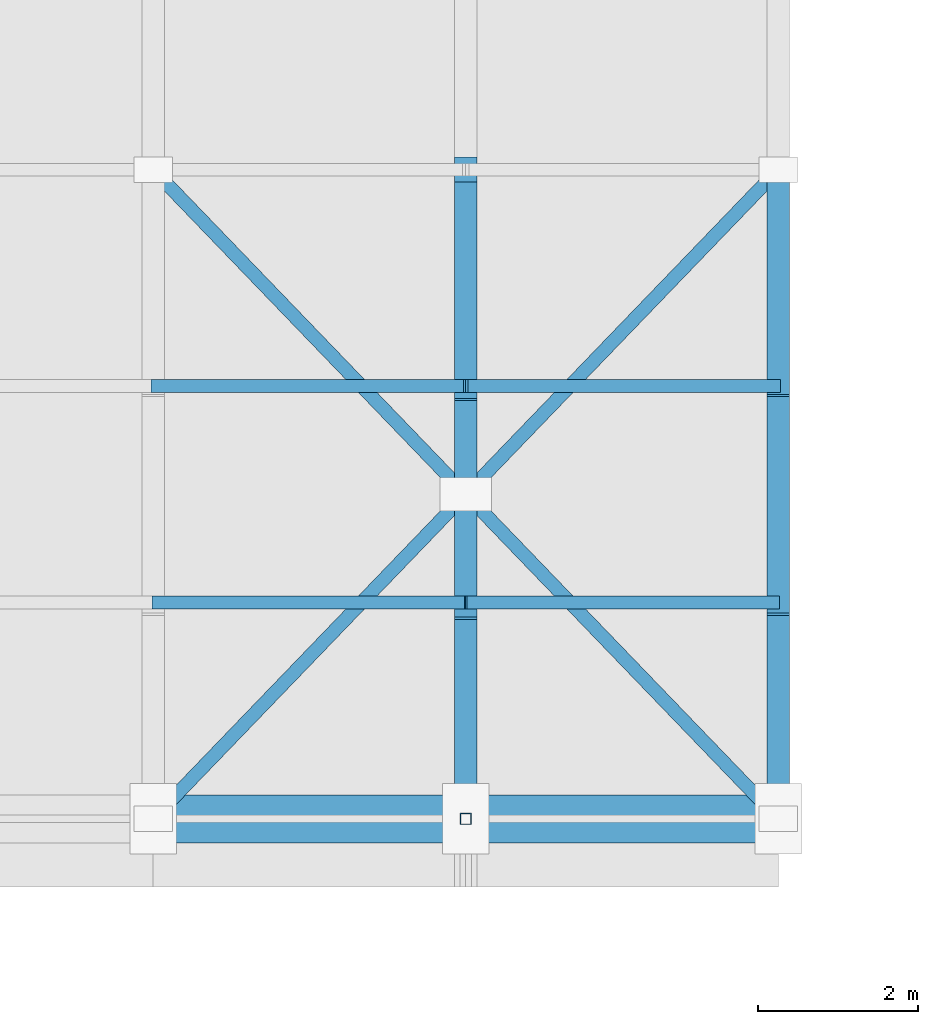
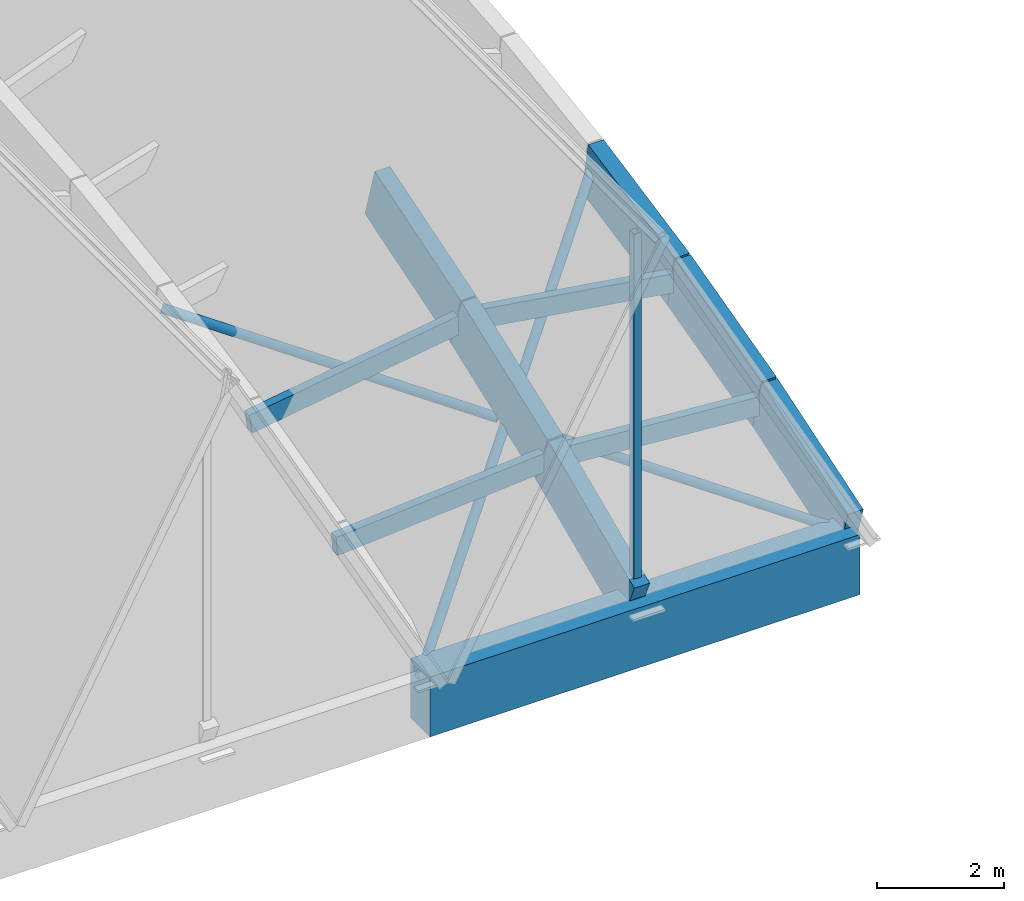
# One storey, part 9 of 39: 14 members, 1 beam.
"""IFC4 building model written with IfcOpenShell, lengths in metres."""

from ifc_helpers import new_model, si_unit, direction, frame, origin, origin_2d, place, context, subcontext, project, spatial, rectangle, hollow_rectangle, hollow_circle, extrude, material, material_profile, profile_set, type_object, element, save


model = new_model("IFC4")

# Units and contexts
model_context = context("Model", 3, precision=1e-05, world=origin(), true_north=direction((0.0, 1.0)))
body_context = subcontext(model_context, "Body", "Model", "MODEL_VIEW")
ifc_project = project(units=[si_unit("LENGTHUNIT", "METRE"), si_unit("AREAUNIT", "SQUARE_METRE"), si_unit("VOLUMEUNIT", "CUBIC_METRE"), si_unit("PLANEANGLEUNIT", "RADIAN"), si_unit("MASSUNIT", "GRAM", prefix="KILO")], contexts=[model_context])

# Site, building, storey
site_placement = place(None, origin())
site = spatial("IfcSite", under=ifc_project, at=site_placement, CompositionType="ELEMENT")
building_placement = place(site_placement, origin())
building = spatial("IfcBuilding", under=site, at=building_placement, Name="Tizgana Railside Sports Hall", CompositionType="ELEMENT")
storey_placement = place(building_placement, frame((0.0, 0.0, 23.699951171875)))
storey = spatial("IfcBuildingStorey", under=building, at=storey_placement, Name="RF", CompositionType="ELEMENT", Elevation=23.699951171875)

# Beam
ifc_material_1 = material(Name="Concrete C40/50", Category="concrete")
ifc_material_profile_1 = material_profile(ifc_material_1, rectangle(XDim=0.60009765625, YDim=1.14990234375, at=origin_2d()), Name="RCB 600x1150")
ifc_profile_set_1 = profile_set([ifc_material_profile_1], Name="Concrete C40/50")
beam_type = type_object("IfcBeamType", Name="Concrete Beam RCB 600x1150", PredefinedType="BEAM", material=ifc_profile_set_1)
beam_placement = place(storey_placement, frame((46.800048828125, 40.800048828125, -8.675048828125), z_axis=(1.0, 0.0, 0.0), x_axis=(0.0, 1.0, 0.0)))
element("IfcBeam", 1, at=beam_placement, inside=storey, type_object=beam_type, Name="RF BEM-1216", PredefinedType="BEAM", context=body_context, shape_type="SweptSolid", body=[
    extrude(rectangle(XDim=0.60009765625, YDim=1.14990234375, at=origin_2d()), origin(), (0.0, 0.0, 1.0), 7.800048828125),
])

# Members
ifc_material_2 = material(Name="Glulam GL32h", Category="wood")
ifc_material_profile_2 = material_profile(ifc_material_2, rectangle(XDim=0.280029296875, YDim=1.050048828125, at=origin_2d()), Name="GL 280x1050")
ifc_profile_set_2 = profile_set([ifc_material_profile_2], Name="Glulam GL32h")
member_type_1 = type_object("IfcMemberType", Name="Glulam Arch Segment GL 280x1050", PredefinedType="USERDEFINED", material=ifc_profile_set_2)
member_1_placement = place(storey_placement, frame((50.699951171875, 40.800048828125, -8.25), z_axis=(0.0, 0.91644048833, 0.400171002635), x_axis=(-1.0, 0.0, 0.0)))
element("IfcMember", 2, at=member_1_placement, inside=storey, type_object=member_type_1, Name="RF V1 Arch Chord MEM-0193", ObjectType="ARCH_SEGMENT", PredefinedType="USERDEFINED", context=body_context, shape_type="SweptSolid", body=[
    extrude(rectangle(XDim=0.280029296875, YDim=1.050048828125, at=origin_2d()), origin(), (0.0, 0.0, 1.0), 2.946044921875),
])
member_2_placement = place(storey_placement, frame((50.699951171875, 43.5, -7.071044921875), z_axis=(0.0, 0.936999478025, 0.349330757564), x_axis=(-1.0, 0.0, 0.0)))
element("IfcMember", 3, at=member_2_placement, inside=storey, type_object=member_type_1, Name="RF V1 Arch Chord MEM-0194", ObjectType="ARCH_SEGMENT", PredefinedType="USERDEFINED", context=body_context, shape_type="SweptSolid", body=[
    extrude(rectangle(XDim=0.280029296875, YDim=1.050048828125, at=origin_2d()), origin(), (0.0, 0.0, 1.0), 2.881591796875),
])
member_3_placement = place(storey_placement, frame((50.699951171875, 46.199951171875, -6.064453125), z_axis=(0.0, 0.954601237081, 0.297886686786), x_axis=(-1.0, 0.0, 0.0)))
element("IfcMember", 4, at=member_3_placement, inside=storey, type_object=member_type_1, Name="RF V1 Arch Chord MEM-0195", ObjectType="ARCH_SEGMENT", PredefinedType="USERDEFINED", context=body_context, shape_type="SweptSolid", body=[
    extrude(rectangle(XDim=0.280029296875, YDim=1.050048828125, at=origin_2d()), origin(), (0.0, 0.0, 1.0), 2.828369140625),
])
member_4_placement = place(storey_placement, frame((54.60009765625, 40.800048828125, -8.25), z_axis=(0.0, 0.95088673489, 0.309539040203), x_axis=(-1.0, 0.0, 0.0)))
element("IfcMember", 5, at=member_4_placement, inside=storey, type_object=member_type_1, Name="RF V1 Arch Chord MEM-0206", ObjectType="ARCH_SEGMENT", PredefinedType="USERDEFINED", context=body_context, shape_type="SweptSolid", body=[
    extrude(rectangle(XDim=0.280029296875, YDim=1.050048828125, at=origin_2d()), origin(), (0.0, 0.0, 1.0), 2.83935546875),
])
member_5_placement = place(storey_placement, frame((54.60009765625, 43.5, -7.37109375), z_axis=(0.0, 0.96740233444, 0.253244394448), x_axis=(-1.0, 0.0, 0.0)))
element("IfcMember", 6, at=member_5_placement, inside=storey, type_object=member_type_1, Name="RF V1 Arch Chord MEM-0207", ObjectType="ARCH_SEGMENT", PredefinedType="USERDEFINED", context=body_context, shape_type="SweptSolid", body=[
    extrude(rectangle(XDim=0.280029296875, YDim=1.050048828125, at=origin_2d()), origin(), (0.0, 0.0, 1.0), 2.791015625),
])
member_6_placement = place(storey_placement, frame((54.60009765625, 46.199951171875, -6.664306640625), z_axis=(0.0, 0.980423512867, 0.196900318481), x_axis=(-1.0, 0.0, 0.0)))
element("IfcMember", 7, at=member_6_placement, inside=storey, type_object=member_type_1, Name="RF V1 Arch Chord MEM-0208", ObjectType="ARCH_SEGMENT", PredefinedType="USERDEFINED", context=body_context, shape_type="SweptSolid", body=[
    extrude(rectangle(XDim=0.280029296875, YDim=1.050048828125, at=origin_2d()), origin(), (0.0, 0.0, 1.0), 2.75390625),
])
ifc_material_3 = material(Name="Glulam GL28h", Category="wood")
ifc_material_profile_3 = material_profile(ifc_material_3, rectangle(XDim=0.159912109375, YDim=0.360107421875, at=origin_2d()), Name="GL 160x360")
ifc_profile_set_3 = profile_set([ifc_material_profile_3], Name="Glulam GL28h")
member_type_2 = type_object("IfcMemberType", Name="Glulam Roof Purlin GL 160x360", PredefinedType="PURLIN", material=ifc_profile_set_3)
member_7_placement = place(storey_placement, frame((46.800048828125, 43.5, -7.37109375), z_axis=(0.997053383918, 0.0, 0.076710818132), x_axis=(0.0, 1.0, 0.0)))
element("IfcMember", 8, at=member_7_placement, inside=storey, type_object=member_type_2, Name="RF V1 Purlin MEM-0377", PredefinedType="PURLIN", context=body_context, shape_type="SweptSolid", body=[
    extrude(rectangle(XDim=0.159912109375, YDim=0.360107421875, at=origin_2d()), origin(), (0.0, 0.0, 1.0), 3.911376953125),
])
member_8_placement = place(storey_placement, frame((50.699951171875, 43.5, -7.071044921875), z_axis=(0.997053751181, 0.0, -0.076706044457), x_axis=(0.0, 1.0, 0.0)))
element("IfcMember", 9, at=member_8_placement, inside=storey, type_object=member_type_2, Name="RF V1 Purlin MEM-0378", PredefinedType="PURLIN", context=body_context, shape_type="SweptSolid", body=[
    extrude(rectangle(XDim=0.159912109375, YDim=0.360107421875, at=origin_2d()), origin(), (0.0, 0.0, 1.0), 3.91162109375),
])
member_9_placement = place(storey_placement, frame((46.800048828125, 46.199951171875, -6.664306640625), z_axis=(0.988376704266, 0.0, 0.152024637685), x_axis=(0.0, 1.0, 0.0)))
element("IfcMember", 10, at=member_9_placement, inside=storey, type_object=member_type_2, Name="RF V1 Purlin MEM-0379", PredefinedType="PURLIN", context=body_context, shape_type="SweptSolid", body=[
    extrude(rectangle(XDim=0.159912109375, YDim=0.360107421875, at=origin_2d()), origin(), (0.0, 0.0, 1.0), 3.94580078125),
])
member_10_placement = place(storey_placement, frame((50.699951171875, 46.199951171875, -6.064453125), z_axis=(0.988378134138, 0.0, -0.152015341194), x_axis=(0.0, 1.0, 0.0)))
element("IfcMember", 11, at=member_10_placement, inside=storey, type_object=member_type_2, Name="RF V1 Purlin MEM-0380", PredefinedType="PURLIN", context=body_context, shape_type="SweptSolid", body=[
    extrude(rectangle(XDim=0.159912109375, YDim=0.360107421875, at=origin_2d()), origin(), (0.0, 0.0, 1.0), 3.946044921875),
])
ifc_material_4 = material(Name="Steel S355J2", Category="steel")
ifc_material_profile_4 = material_profile(ifc_material_4, hollow_circle(Radius=0.084228515625, WallThickness=0.008056640625, at=origin_2d()), Name="CHS 168.3x8")
ifc_profile_set_4 = profile_set([ifc_material_profile_4], Name="Steel S355J2")
member_type_3 = type_object("IfcMemberType", Name="Steel Brace CHS 168.3x8", PredefinedType="BRACE", material=ifc_profile_set_4)
member_11_placement = place(storey_placement, frame((46.800048828125, 40.800048828125, -8.25), z_axis=(0.68155463395, 0.707751043555, 0.185934776973), x_axis=(-0.720311776211, 0.69365044875, 0.0)))
element("IfcMember", 12, at=member_11_placement, inside=storey, type_object=member_type_3, Name="RF V1 Continuous Wind Brace MEM-0399", PredefinedType="BRACE", context=body_context, shape_type="SweptSolid", body=[
    extrude(hollow_circle(Radius=0.084228515625, WallThickness=0.008056640625, at=origin_2d()), origin(), (0.0, 0.0, 1.0), 11.444580078125),
])
member_12_placement = place(storey_placement, frame((54.60009765625, 40.800048828125, -8.25), z_axis=(-0.681551486662, 0.70774818459, 0.185957194641), x_axis=(-0.720311976639, -0.693650240619, 0.0)))
element("IfcMember", 13, at=member_12_placement, inside=storey, type_object=member_type_3, Name="RF V1 Split Wind Brace MEM-0400", PredefinedType="BRACE", context=body_context, shape_type="SweptSolid", body=[
    extrude(hollow_circle(Radius=0.084228515625, WallThickness=0.008056640625, at=origin_2d()), origin(), (0.0, 0.0, 1.0), 5.582275390625),
])
member_13_placement = place(storey_placement, frame((50.6044921875, 44.94921875, -7.159912109375), z_axis=(-0.681554706188, 0.70775320898, 0.185926269396), x_axis=(-0.720312799862, -0.693649385753, 0.0)))
element("IfcMember", 14, at=member_13_placement, inside=storey, type_object=member_type_3, Name="RF V1 Split Wind Brace MEM-0401", PredefinedType="BRACE", context=body_context, shape_type="SweptSolid", body=[
    extrude(hollow_circle(Radius=0.084228515625, WallThickness=0.008056640625, at=origin_2d()), origin(), (0.0, 0.0, 1.0), 5.58203125),
])
ifc_material_profile_5 = material_profile(ifc_material_4, hollow_rectangle(XDim=0.139892578125, YDim=0.139892578125, WallThickness=0.008056640625, at=origin_2d()), Name="SHS 140x140x8")
ifc_profile_set_5 = profile_set([ifc_material_profile_5], Name="Steel S355J2")
member_type_4 = type_object("IfcMemberType", Name="Steel Brace SHS 140x140x8", PredefinedType="BRACE", material=ifc_profile_set_5)
member_14_placement = place(storey_placement, frame((50.699951171875, 40.800048828125, -8.300048828125), z_axis=(0.0, 0.0, 1.0), x_axis=(1.0, 0.0, 0.0)))
element("IfcMember", 15, at=member_14_placement, inside=storey, type_object=member_type_4, Name="RF King Post", PredefinedType="BRACE", context=body_context, shape_type="SweptSolid", body=[
    extrude(hollow_rectangle(XDim=0.139892578125, YDim=0.139892578125, WallThickness=0.008056640625, at=origin_2d()), origin(), (0.0, 0.0, 1.0), 7.2001953125),
])

save(model, "model.ifc")
